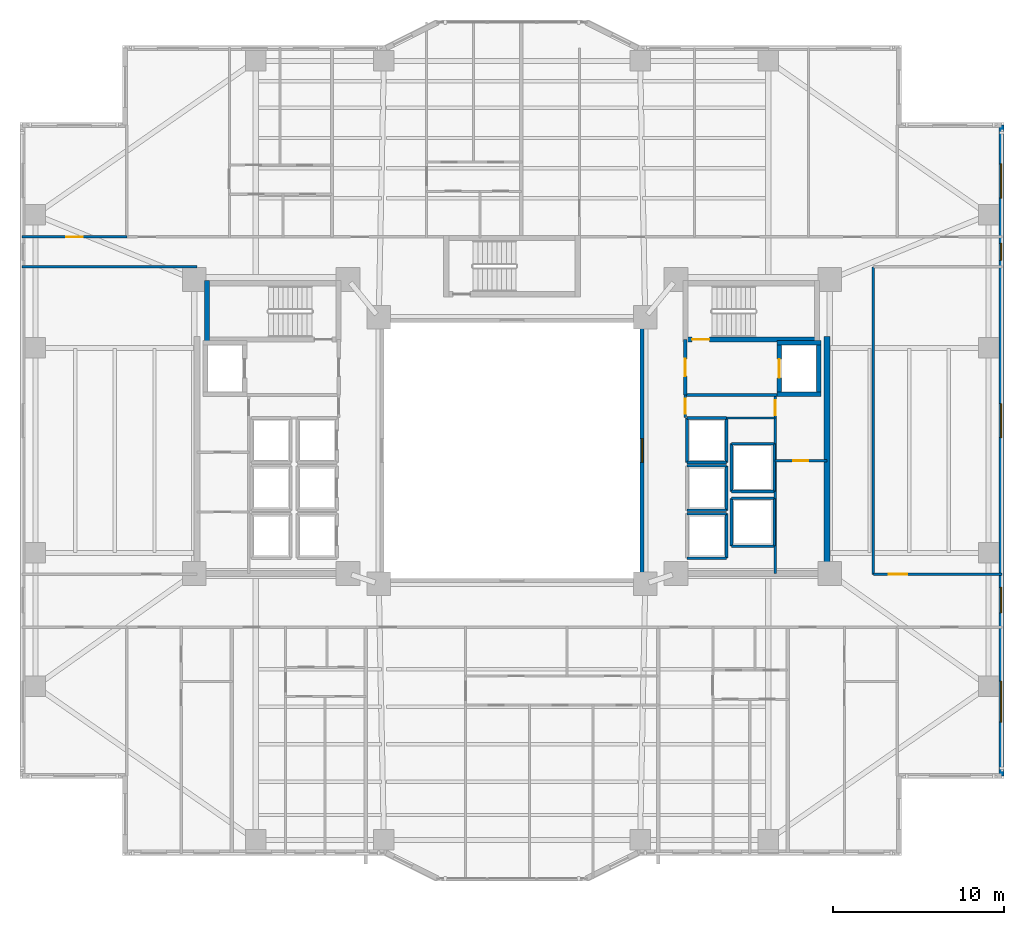
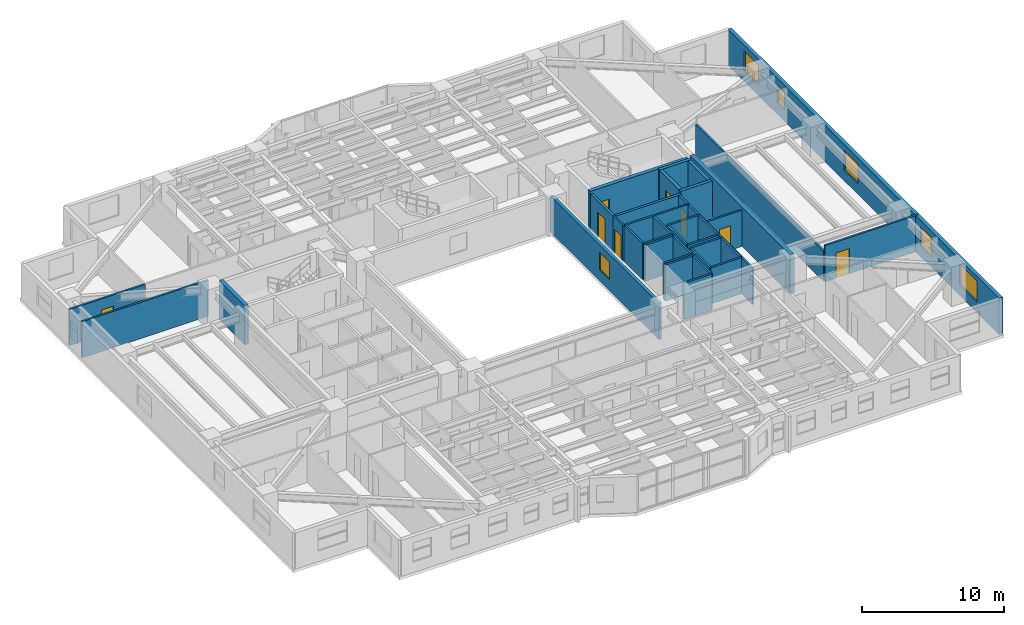
# One storey, part 13 of 21: 37 walls, 8 doors, 6 windows, 14 openings.
"""IFC4 building model written with IfcOpenShell, lengths in metres."""

import ifcopenshell
import ifcopenshell.guid

model = None  # the IFC model being written
_history = None  # IfcOwnerHistory: only IFC2X3 demands one
_inside = {}  # id of a spatial element -> (the spatial element, [elements in it])
_under = {}  # id of a project, library or spatial element -> (it, [spatial elements below it])
_declared = {}  # id of a project -> (the project, [libraries it declares])
_typed = {}  # id of a type object -> (the type object, [elements of that type])
_made_of = {}  # id of a material, layer set ... -> (it, [elements and type objects made of it])


def new_model(schema):
    """Start an empty IFC model of exactly this schema.

    Asked for "IFC4X3", IfcOpenShell would pick the latest addendum, in which some entities
    have other attributes; the version numbers below select the first issue.
    IFC2X3 requires an IfcOwnerHistory on every rooted entity: one is made here for all.
    """
    global model, _history
    if schema == "IFC4X3":
        model = ifcopenshell.file(schema_version=(4, 3, 0, 0))
    else:
        model = ifcopenshell.file(schema=schema)
    _inside.clear()
    _under.clear()
    _declared.clear()
    _typed.clear()
    _made_of.clear()
    _history = None
    if model.schema == "IFC2X3":
        org = make("IfcOrganization", Name="unknown")
        user = make(
            "IfcPersonAndOrganization",
            ThePerson=make("IfcPerson", FamilyName="unknown"),
            TheOrganization=org,
        )
        app = make(
            "IfcApplication",
            ApplicationDeveloper=org,
            Version="unknown",
            ApplicationFullName="unknown",
            ApplicationIdentifier="unknown",
        )
        _history = make(
            "IfcOwnerHistory",
            OwningUser=user,
            OwningApplication=app,
            ChangeAction="ADDED",
            CreationDate=0,
        )
    return model


def make(cls, **values):
    """One entity of the class cls with the attributes given. An attribute that is None is left unset."""
    return model.create_entity(
        cls, **{name: value for name, value in values.items() if value is not None}
    )


def rooted(cls, **values):
    """An entity with a GlobalId (a new one), such as an element, a storey or a relation."""
    return make(cls, GlobalId=ifcopenshell.guid.new(), OwnerHistory=_history, **values)


def si_unit(unit_type, name, prefix=None):
    """IfcSIUnit, for example si_unit("LENGTHUNIT", "METRE", prefix="MILLI")."""
    return make("IfcSIUnit", UnitType=unit_type, Prefix=prefix, Name=name)


def assignment(units):
    """IfcUnitAssignment: the units of a project."""
    return None if units is None else make("IfcUnitAssignment", Units=units)


def point(xyz):
    """IfcCartesianPoint."""
    return None if xyz is None else make("IfcCartesianPoint", Coordinates=xyz)


def direction(xyz):
    """IfcDirection."""
    return None if xyz is None else make("IfcDirection", DirectionRatios=xyz)


def frame(location, z_axis=None, x_axis=None):
    """IfcAxis2Placement3D, a coordinate frame: its origin and axes. An axis left out is left unset."""
    return make(
        "IfcAxis2Placement3D",
        Location=point(location),
        Axis=direction(z_axis),
        RefDirection=direction(x_axis),
    )


def frame_2d(location, x_axis=None):
    """IfcAxis2Placement2D, a coordinate frame in the plane: its origin and x axis."""
    return make(
        "IfcAxis2Placement2D", Location=point(location), RefDirection=direction(x_axis)
    )


def origin():
    """The frame at (0, 0, 0) with its axes left unset."""
    return frame((0.0, 0.0, 0.0))


def place(relative_to, where):
    """IfcLocalPlacement: puts the frame where relative to a parent placement (None: the world)."""
    return make(
        "IfcLocalPlacement", PlacementRelTo=relative_to, RelativePlacement=where
    )


def context(
    kind, dimensions, precision=None, world=None, true_north=None, identifier=None
):
    """IfcGeometricRepresentationContext, for example the 3D "Model" context."""
    return make(
        "IfcGeometricRepresentationContext",
        ContextIdentifier=identifier,
        ContextType=kind,
        CoordinateSpaceDimension=dimensions,
        Precision=precision,
        WorldCoordinateSystem=world,
        TrueNorth=true_north,
    )


def subcontext(parent, identifier, kind, view, scale=None):
    """IfcGeometricRepresentationSubContext, for example "Body" below "Model"."""
    return make(
        "IfcGeometricRepresentationSubContext",
        ContextIdentifier=identifier,
        ContextType=kind,
        ParentContext=parent,
        TargetScale=scale,
        TargetView=view,
    )


def project(units=None, contexts=None):
    """IfcProject with its units and contexts."""
    return rooted(
        "IfcProject",
        Name="project",
        RepresentationContexts=contexts,
        UnitsInContext=assignment(units),
    )


def spatial(cls, under=None, at=None, **own):
    """A site, building, storey or space (cls), placed at a placement, below another one or the project."""
    s = rooted(cls, ObjectPlacement=at, **own)
    if under is not None:
        _under.setdefault(under.id(), (under, []))[1].append(s)
    return s


def profile(cls, at=None, kind="AREA", **sizes):
    """A parametric profile (cls). Its sizes go by their IFC names, for example OverallWidth=200.0."""
    return make(cls, ProfileType=kind, Position=at, **sizes)


def rectangle(**sizes):
    """IfcRectangleProfileDef."""
    return profile("IfcRectangleProfileDef", **sizes)


def extrude(swept, where, along, depth):
    """IfcExtrudedAreaSolid: the profile swept, set in the frame where, extruded along a direction by depth."""
    return make(
        "IfcExtrudedAreaSolid",
        SweptArea=swept,
        Position=where,
        ExtrudedDirection=direction(along),
        Depth=depth,
    )


def shape(context_of_items, identifier, shape_type, items):
    """IfcShapeRepresentation: the items that make up one representation, for example the "Body"."""
    return make(
        "IfcShapeRepresentation",
        ContextOfItems=context_of_items,
        RepresentationIdentifier=identifier,
        RepresentationType=shape_type,
        Items=items,
    )


def material(Name=None, Category=None):
    """IfcMaterial."""
    return make("IfcMaterial", Name=Name, Category=Category)


def layer(
    of_material, thickness, ventilated=None, Name=None, Category=None, Priority=None
):
    """IfcMaterialLayer: one layer of a wall or slab, of a material (None: an air gap)."""
    return make(
        "IfcMaterialLayer",
        Material=of_material,
        LayerThickness=thickness,
        IsVentilated=ventilated,
        Name=Name,
        Category=Category,
        Priority=Priority,
    )


def layer_set(layers, Name=None):
    """IfcMaterialLayerSet."""
    return make("IfcMaterialLayerSet", MaterialLayers=layers, LayerSetName=Name)


def made_of(thing, what):
    """Note that an element or type object is made of a material, layer set ...; save() writes the relation."""
    if what is not None:
        _made_of.setdefault(what.id(), (what, []))[1].append(thing)
    return thing


def type_object(cls, material=None, **own):
    """A type object (cls), such as IfcWallType, which elements share."""
    return made_of(rooted(cls, **own), material)


def element(
    cls,
    number,
    at=None,
    inside=None,
    cuts=None,
    type_object=None,
    material=None,
    context=None,
    identifier="Body",
    shape_type=None,
    held_by="IfcProductDefinitionShape",
    body=None,
    shapes=None,
    **own,
):
    """One element of the class cls, such as IfcWall. Its Tag is "e" and its number.

    at: its placement. inside: the storey or other place that contains it. cuts: it is an
    opening in that element (IfcRelVoidsElement). A single representation is given by context,
    identifier, shape_type and body (its items); several are given by shapes. held_by: the class
    of the entity that holds the representations. save() writes the other relations.
    """
    e = rooted(cls, Tag="e%d" % number, ObjectPlacement=at, **own)
    if body is not None:
        shapes = [shape(context, identifier, shape_type, body)]
    if shapes is not None:
        e.Representation = make(held_by, Representations=shapes)
    if inside is not None:
        _inside.setdefault(inside.id(), (inside, []))[1].append(e)
    if cuts is not None:
        rooted(
            "IfcRelVoidsElement", RelatingBuildingElement=cuts, RelatedOpeningElement=e
        )
    if type_object is not None:
        _typed.setdefault(type_object.id(), (type_object, []))[1].append(e)
    return made_of(e, material)


def fill(opening, filler):
    """IfcRelFillsElement: the door or window that sits in an opening."""
    return rooted(
        "IfcRelFillsElement",
        RelatingOpeningElement=opening,
        RelatedBuildingElement=filler,
    )


def aggregate(whole, parts):
    """IfcRelAggregates: a whole, such as a stair, and the parts it consists of."""
    return rooted("IfcRelAggregates", RelatingObject=whole, RelatedObjects=parts)


def save(model, path):
    """Write the relations noted so far, then the file.

    IfcRelAggregates (storeys below a building ...), IfcRelContainedInSpatialStructure (elements
    in a storey), IfcRelDefinesByType, IfcRelAssociatesMaterial and IfcRelDeclares: one each for
    every whole, place, type object, material and project.
    """
    for whole, parts in _under.values():
        aggregate(whole, parts)
    for where, things in _inside.values():
        rooted(
            "IfcRelContainedInSpatialStructure",
            RelatedElements=things,
            RelatingStructure=where,
        )
    for kind, things in _typed.values():
        rooted("IfcRelDefinesByType", RelatedObjects=things, RelatingType=kind)
    for what, things in _made_of.values():
        rooted("IfcRelAssociatesMaterial", RelatedObjects=things, RelatingMaterial=what)
    for by, libraries in _declared.values():
        rooted("IfcRelDeclares", RelatingContext=by, RelatedDefinitions=libraries)
    model.write(path)


model = new_model("IFC4")

# Units and contexts
model_context = context("Model", 3, precision=1e-05, world=origin(), true_north=direction((0.0, 1.0)))
body_context = subcontext(model_context, "Body", "Model", "MODEL_VIEW")
ifc_project = project(units=[si_unit("LENGTHUNIT", "METRE"), si_unit("AREAUNIT", "SQUARE_METRE"), si_unit("VOLUMEUNIT", "CUBIC_METRE"), si_unit("PLANEANGLEUNIT", "RADIAN"), si_unit("MASSUNIT", "GRAM", prefix="KILO")], contexts=[model_context])

# Site, building, storey
site_placement = place(None, origin())
site = spatial("IfcSite", under=ifc_project, at=site_placement, CompositionType="ELEMENT")
building_placement = place(site_placement, origin())
building = spatial("IfcBuilding", under=site, at=building_placement, Name="Tarnavaz Court Tower", CompositionType="ELEMENT")
storey_placement = place(building_placement, frame((0.0, 0.0, 40.75)))
storey = spatial("IfcBuildingStorey", under=building, at=storey_placement, Name="L10", CompositionType="ELEMENT", Elevation=40.75)

# Wall, opening, door
ifc_material_1 = material(Name="Concrete C60/75", Category="concrete")
ifc_layer_1 = layer(ifc_material_1, 0.25)
ifc_layer_set_1 = layer_set([ifc_layer_1], Name="Concrete C60/75")
wall_type_1 = type_object("IfcWallType", Name="WL-CORE-250-C60", PredefinedType="SHEAR", material=ifc_layer_set_1)
wall_1_placement = place(storey_placement, frame((15.64990234375, 3.175048828125, 0.0), z_axis=(0.0, 0.0, 1.0), x_axis=(0.0, 1.0, 0.0)))
wall_1 = element("IfcWall", 1, at=wall_1_placement, inside=storey, type_object=wall_type_1, Name="L10 Lift FL-E1 Shaft Wall 045", PredefinedType="SHEAR", context=body_context, shape_type="SweptSolid", body=[
    extrude(rectangle(XDim=3.25, YDim=0.25, at=frame_2d((1.625, 0.0))), origin(), (0.0, 0.0, 1.0), 3.35009765625),
])
opening_1_placement = place(wall_1_placement, frame((1.074951171875, 0.0, 0.0)))
opening_1 = element("IfcOpeningElement", 2, at=opening_1_placement, cuts=wall_1, Name="Opening LD1", PredefinedType="OPENING", context=body_context, shape_type="SweptSolid", body=[
    extrude(rectangle(XDim=1.10009765625, YDim=2.14990234375, at=frame_2d((0.550048828125, 1.074951171875))), frame((0.0, 0.135009765625, 0.0), z_axis=(0.0, -1.0, 0.0), x_axis=(1.0, 0.0, 0.0)), (0.0, 0.0, 1.0), 0.27001953125),
])
ifc_material_2 = material(Name="Stainless Steel", Category="steel")
door_type_1 = type_object("IfcDoorType", Name="DR-LD-1100", OperationType="NOTDEFINED", PredefinedType="DOOR", material=ifc_material_2)
door_1_placement = place(opening_1_placement, origin())
door_1 = element("IfcDoor", 3, at=door_1_placement, inside=storey, type_object=door_type_1, Name="L10 Lift Landing Door LD-FL-E1", OperationType="SLIDING_TO_LEFT", OverallHeight=2.14990234375, OverallWidth=1.10009765625, PredefinedType="DOOR", context=body_context, shape_type="SweptSolid", body=[
    extrude(rectangle(XDim=1.10009765625, YDim=2.14990234375, at=frame_2d((0.550048828125, 1.074951171875))), frame((0.0, 0.02490234375, 0.0), z_axis=(0.0, -1.0, 0.0), x_axis=(1.0, 0.0, 0.0)), (0.0, 0.0, 1.0), 0.050048828125),
])
fill(opening_1, door_1)

# Walls
wall_2_placement = place(storey_placement, frame((17.949951171875, 3.175048828125, 0.0), z_axis=(0.0, 0.0, 1.0), x_axis=(0.0, 1.0, 0.0)))
element("IfcWall", 4, at=wall_2_placement, inside=storey, type_object=wall_type_1, Name="L10 Lift FL-E1 Shaft Wall 046", PredefinedType="SHEAR", context=body_context, shape_type="SweptSolid", body=[
    extrude(rectangle(XDim=3.25, YDim=0.25, at=frame_2d((1.625, 0.0))), origin(), (0.0, 0.0, 1.0), 3.35009765625),
])
for number, where, z_axis, x_axis, name in (
    (5, (15.52490234375, 3.300048828125, 0.0), (0.0, 0.0, 1.0), (1.0, 0.0, 0.0), "L10 Lift FL-E1 Shaft Wall 047"),
    (6, (15.52490234375, 6.300048828125, 0.0), (0.0, 0.0, 1.0), (1.0, 0.0, 0.0), "L10 Lift FL-E1 Shaft Wall 048"),
):
    element("IfcWall", number, at=place(storey_placement, frame(where, z_axis=z_axis, x_axis=x_axis)), inside=storey, type_object=wall_type_1, Name=name, PredefinedType="SHEAR", context=body_context, shape_type="SweptSolid", body=[
        extrude(rectangle(XDim=2.550048828125, YDim=0.25, at=frame_2d((1.27490234375, 0.0))), origin(), (0.0, 0.0, 1.0), 3.35009765625),
    ])
ifc_layer_2 = layer(ifc_material_1, 0.300048828125)
ifc_layer_set_2 = layer_set([ifc_layer_2], Name="Concrete C60/75")
wall_type_2 = type_object("IfcWallType", Name="WL-CORE-300-C60", PredefinedType="SHEAR", material=ifc_layer_set_2)
wall_3_placement = place(storey_placement, frame((-17.85009765625, 6.35009765625, 0.0), z_axis=(0.0, 0.0, 1.0), x_axis=(0.0, 1.0, 0.0)))
element("IfcWall", 7, at=wall_3_placement, inside=storey, type_object=wall_type_2, Name="L10 West Stair Core Wall 003", PredefinedType="SHEAR", context=body_context, shape_type="SweptSolid", body=[
    extrude(rectangle(XDim=3.58984375, YDim=0.300048828125, at=frame_2d((1.794921875, 0.0))), origin(), (0.0, 0.0, 1.0), 3.35009765625),
])

# Wall, opening, door
wall_4_placement = place(storey_placement, frame((10.0, 6.5, 0.0), z_axis=(0.0, 0.0, 1.0), x_axis=(1.0, 0.0, 0.0)))
wall_4 = element("IfcWall", 8, at=wall_4_placement, inside=storey, type_object=wall_type_2, Name="L10 East Stair Core Wall 006", PredefinedType="SHEAR", context=body_context, shape_type="SweptSolid", body=[
    extrude(rectangle(XDim=8.0, YDim=0.300048828125, at=frame_2d((4.0, 0.0))), origin(), (0.0, 0.0, 1.0), 3.35009765625),
])
opening_2_placement = place(wall_4_placement, frame((0.550048828125, 0.0, 0.0)))
opening_2 = element("IfcOpeningElement", 9, at=opening_2_placement, cuts=wall_4, Name="Opening D01", PredefinedType="OPENING", context=body_context, shape_type="SweptSolid", body=[
    extrude(rectangle(XDim=1.0, YDim=2.14990234375, at=frame_2d((0.5, 1.074951171875))), frame((0.0, 0.159912109375, 0.0), z_axis=(0.0, -1.0, 0.0), x_axis=(1.0, 0.0, 0.0)), (0.0, 0.0, 1.0), 0.320068359375),
])
ifc_material_3 = material(Name="Fire-Rated Hardwood Timber Core", Category="wood")
door_type_2 = type_object("IfcDoorType", Name="DR-FD90-1000", OperationType="NOTDEFINED", PredefinedType="DOOR", material=ifc_material_3)
door_2_placement = place(opening_2_placement, origin())
door_2 = element("IfcDoor", 10, at=door_2_placement, inside=storey, type_object=door_type_2, Name="L10 Stair ST-E1 Exit Door", OperationType="SINGLE_SWING_RIGHT", OverallHeight=2.14990234375, OverallWidth=1.0, PredefinedType="DOOR", context=body_context, shape_type="SweptSolid", body=[
    extrude(rectangle(XDim=1.0, YDim=2.14990234375, at=frame_2d((0.5, 1.074951171875))), frame((0.0, 0.02490234375, 0.0), z_axis=(0.0, -1.0, 0.0), x_axis=(1.0, 0.0, 0.0)), (0.0, 0.0, 1.0), 0.050048828125),
])
fill(opening_2, door_2)

# Wall
ifc_layer_3 = layer(ifc_material_1, 0.35009765625)
ifc_layer_set_3 = layer_set([ifc_layer_3], Name="Concrete C60/75")
wall_type_3 = type_object("IfcWallType", Name="WL-CORE-350-C60", PredefinedType="SHEAR", material=ifc_layer_set_3)
wall_5_placement = place(storey_placement, frame((18.449951171875, -7.375, 0.0), z_axis=(0.0, 0.0, 1.0), x_axis=(0.0, 1.0, 0.0)))
element("IfcWall", 11, at=wall_5_placement, inside=storey, type_object=wall_type_3, Name="L10 East Core Shear Wall 071", PredefinedType="SHEAR", context=body_context, shape_type="SweptSolid", body=[
    extrude(rectangle(XDim=14.050048828125, YDim=0.35009765625, at=frame_2d((7.02490234375, 0.0))), origin(), (0.0, 0.0, 1.0), 3.35009765625),
])

# Wall, openings, windows
ifc_material_4 = material(Name="Precast Concrete C40/50", Category="concrete")
ifc_layer_4 = layer(ifc_material_4, 0.300048828125)
ifc_layer_set_4 = layer_set([ifc_layer_4], Name="Precast Concrete C40/50")
wall_type_4 = type_object("IfcWallType", Name="WL-EXT-300", PredefinedType="SOLIDWALL", material=ifc_layer_set_4)
wall_6_placement = place(storey_placement, frame((28.64990234375, 19.050048828125, 0.0), z_axis=(0.0, 0.0, 1.0), x_axis=(0.0, -1.0, 0.0)))
wall_6 = element("IfcWall", 12, at=wall_6_placement, inside=storey, type_object=wall_type_4, Name="L10 Exterior Terracotta Facade Wall 12", PredefinedType="SOLIDWALL", context=body_context, shape_type="SweptSolid", body=[
    extrude(rectangle(XDim=38.10009765625, YDim=0.300048828125, at=frame_2d((19.050048828125, 0.0))), origin(), (0.0, 0.0, 1.0), 3.10009765625),
])
opening_3_placement = place(wall_6_placement, frame((2.27490234375, 0.0, 0.89990234375)))
opening_3 = element("IfcOpeningElement", 13, at=opening_3_placement, cuts=wall_6, Name="Opening W08", PredefinedType="OPENING", context=body_context, shape_type="SweptSolid", body=[
    extrude(rectangle(XDim=2.0, YDim=1.699951171875, at=frame_2d((1.0, 0.85009765625))), frame((0.0, 0.159912109375, 0.0), z_axis=(0.0, -1.0, 0.0), x_axis=(1.0, 0.0, 0.0)), (0.0, 0.0, 1.0), 0.320068359375),
])
opening_4_placement = place(wall_6_placement, frame((6.925048828125, 0.0, 0.949951171875)))
opening_4 = element("IfcOpeningElement", 14, at=opening_4_placement, cuts=wall_6, Name="Opening W14", PredefinedType="OPENING", context=body_context, shape_type="SweptSolid", body=[
    extrude(rectangle(XDim=1.0, YDim=1.5, at=frame_2d((0.5, 0.75))), frame((0.0, 0.159912109375, 0.0), z_axis=(0.0, -1.0, 0.0), x_axis=(1.0, 0.0, 0.0)), (0.0, 0.0, 1.0), 0.320068359375),
])
opening_5_placement = place(wall_6_placement, frame((16.300048828125, 0.0, 0.89990234375)))
opening_5 = element("IfcOpeningElement", 15, at=opening_5_placement, cuts=wall_6, Name="Opening W08", PredefinedType="OPENING", context=body_context, shape_type="SweptSolid", body=[
    extrude(rectangle(XDim=2.0, YDim=1.699951171875, at=frame_2d((1.0, 0.85009765625))), frame((0.0, 0.159912109375, 0.0), z_axis=(0.0, -1.0, 0.0), x_axis=(1.0, 0.0, 0.0)), (0.0, 0.0, 1.0), 0.320068359375),
])
opening_6_placement = place(wall_6_placement, frame((27.0576171875, 0.0, 0.89990234375)))
opening_6 = element("IfcOpeningElement", 16, at=opening_6_placement, cuts=wall_6, Name="Opening W03", PredefinedType="OPENING", context=body_context, shape_type="SweptSolid", body=[
    extrude(rectangle(XDim=1.5, YDim=1.64990234375, at=frame_2d((0.75, 0.824951171875))), frame((0.0, 0.159912109375, 0.0), z_axis=(0.0, -1.0, 0.0), x_axis=(1.0, 0.0, 0.0)), (0.0, 0.0, 1.0), 0.320068359375),
])
opening_7_placement = place(wall_6_placement, frame((32.550048828125, 0.0, 0.89990234375)))
opening_7 = element("IfcOpeningElement", 17, at=opening_7_placement, cuts=wall_6, Name="Opening W06", PredefinedType="OPENING", context=body_context, shape_type="SweptSolid", body=[
    extrude(rectangle(XDim=2.39990234375, YDim=1.800048828125, at=frame_2d((1.199951171875, 0.89990234375))), frame((0.0, 0.159912109375, 0.0), z_axis=(0.0, -1.0, 0.0), x_axis=(1.0, 0.0, 0.0)), (0.0, 0.0, 1.0), 0.320068359375),
])
ifc_material_5 = material(Name="Double-Glazed Solar Low-E Glass", Category="glass")
window_type_1 = type_object("IfcWindowType", Name="WN-APT-1000", PartitioningType="SINGLE_PANEL", PredefinedType="WINDOW", material=ifc_material_5)
window_1_placement = place(opening_4_placement, origin())
window_1 = element("IfcWindow", 18, at=window_1_placement, inside=storey, type_object=window_type_1, Name="L10 North-East Corner Corridor Window", OverallHeight=1.5, OverallWidth=1.0, PartitioningType="SINGLE_PANEL", PredefinedType="WINDOW", context=body_context, shape_type="SweptSolid", body=[
    extrude(rectangle(XDim=1.0, YDim=1.5, at=frame_2d((0.5, 0.75))), frame((0.0, 0.030029296875, 0.0), z_axis=(0.0, -1.0, 0.0), x_axis=(1.0, 0.0, 0.0)), (0.0, 0.0, 1.0), 0.06005859375),
])
fill(opening_4, window_1)
window_type_2 = type_object("IfcWindowType", Name="WN-APT-1500", PartitioningType="DOUBLE_PANEL_VERTICAL", PredefinedType="WINDOW", material=ifc_material_5)
window_2_placement = place(opening_6_placement, origin())
window_2 = element("IfcWindow", 19, at=window_2_placement, inside=storey, type_object=window_type_2, Name="L10 South-East Corner Corridor Window", OverallHeight=1.64990234375, OverallWidth=1.5, PartitioningType="SINGLE_PANEL", PredefinedType="WINDOW", context=body_context, shape_type="SweptSolid", body=[
    extrude(rectangle(XDim=1.5, YDim=1.64990234375, at=frame_2d((0.75, 0.824951171875))), frame((0.0, 0.030029296875, 0.0), z_axis=(0.0, -1.0, 0.0), x_axis=(1.0, 0.0, 0.0)), (0.0, 0.0, 1.0), 0.06005859375),
])
fill(opening_6, window_2)
window_type_3 = type_object("IfcWindowType", Name="WN-APT-2000", PartitioningType="DOUBLE_PANEL_VERTICAL", PredefinedType="WINDOW", material=ifc_material_5)
window_3_placement = place(opening_3_placement, origin())
window_3 = element("IfcWindow", 20, at=window_3_placement, inside=storey, type_object=window_type_3, Name="L10 North-East Corner Sunroom Study Window", OverallHeight=1.699951171875, OverallWidth=2.0, PartitioningType="SINGLE_PANEL", PredefinedType="WINDOW", context=body_context, shape_type="SweptSolid", body=[
    extrude(rectangle(XDim=2.0, YDim=1.699951171875, at=frame_2d((1.0, 0.85009765625))), frame((0.0, 0.030029296875, 0.0), z_axis=(0.0, -1.0, 0.0), x_axis=(1.0, 0.0, 0.0)), (0.0, 0.0, 1.0), 0.06005859375),
])
fill(opening_3, window_3)
window_4_placement = place(opening_5_placement, origin())
window_4 = element("IfcWindow", 21, at=window_4_placement, inside=storey, type_object=window_type_3, Name="L10 East Wing Daycare Playroom Window", OverallHeight=1.699951171875, OverallWidth=2.0, PartitioningType="SINGLE_PANEL", PredefinedType="WINDOW", context=body_context, shape_type="SweptSolid", body=[
    extrude(rectangle(XDim=2.0, YDim=1.699951171875, at=frame_2d((1.0, 0.85009765625))), frame((0.0, 0.030029296875, 0.0), z_axis=(0.0, -1.0, 0.0), x_axis=(1.0, 0.0, 0.0)), (0.0, 0.0, 1.0), 0.06005859375),
])
fill(opening_5, window_4)
window_type_4 = type_object("IfcWindowType", Name="WN-APT-2400", PartitioningType="TRIPLE_PANEL_VERTICAL", PredefinedType="WINDOW", material=ifc_material_5)
window_5_placement = place(opening_7_placement, origin())
window_5 = element("IfcWindow", 22, at=window_5_placement, inside=storey, type_object=window_type_4, Name="L10 South-East Corner Reading Room Window", OverallHeight=1.800048828125, OverallWidth=2.39990234375, PartitioningType="SINGLE_PANEL", PredefinedType="WINDOW", context=body_context, shape_type="SweptSolid", body=[
    extrude(rectangle(XDim=2.39990234375, YDim=1.800048828125, at=frame_2d((1.199951171875, 0.89990234375))), frame((0.0, 0.030029296875, 0.0), z_axis=(0.0, -1.0, 0.0), x_axis=(1.0, 0.0, 0.0)), (0.0, 0.0, 1.0), 0.06005859375),
])
fill(opening_7, window_5)

# Walls
ifc_material_6 = material(Name="Gypsum Fire-Board on Acoustic Metal Stud", Category="masonry")
ifc_layer_5 = layer(ifc_material_6, 0.14990234375)
ifc_layer_set_5 = layer_set([ifc_layer_5], Name="Gypsum Fire-Board on Acoustic Metal Stud")
wall_type_5 = type_object("IfcWallType", Name="WL-FIRE-150", PredefinedType="PARTITIONING", material=ifc_layer_set_5)
wall_7_placement = place(storey_placement, frame((21.14990234375, -7.25, 0.0), z_axis=(0.0, 0.0, 1.0), x_axis=(0.0, 1.0, 0.0)))
element("IfcWall", 23, at=wall_7_placement, inside=storey, type_object=wall_type_5, Name="L10 East Outer Link Wall 084", PredefinedType="PARTITIONING", context=body_context, shape_type="SweptSolid", body=[
    extrude(rectangle(XDim=18.0, YDim=0.14990234375, at=frame_2d((9.0, 0.0))), origin(), (0.0, 0.0, 1.0), 2.5849609375),
])
wall_8_placement = place(storey_placement, frame((-28.679931640625, 10.75, 0.0), z_axis=(0.0, 0.0, 1.0), x_axis=(1.0, 0.0, 0.0)))
element("IfcWall", 24, at=wall_8_placement, inside=storey, type_object=wall_type_5, Name="L10 Interior Partition 135", PredefinedType="PARTITIONING", context=body_context, shape_type="SweptSolid", body=[
    extrude(rectangle(XDim=10.22998046875, YDim=0.14990234375, at=frame_2d((5.114990234375, 0.0))), origin(), (0.0, 0.0, 1.0), 3.10009765625),
])

# Wall, opening, door
wall_9_placement = place(storey_placement, frame((21.14990234375, -7.25, 0.0), z_axis=(0.0, 0.0, 1.0), x_axis=(1.0, 0.0, 0.0)))
wall_9 = element("IfcWall", 25, at=wall_9_placement, inside=storey, type_object=wall_type_5, Name="L10 Interior Partition 136", PredefinedType="PARTITIONING", context=body_context, shape_type="SweptSolid", body=[
    extrude(rectangle(XDim=7.530029296875, YDim=0.14990234375, at=frame_2d((3.76513671875, 0.0))), origin(), (0.0, 0.0, 1.0), 3.10009765625),
])
opening_8_placement = place(wall_9_placement, frame((0.89990234375, 0.0, 0.0)))
opening_8 = element("IfcOpeningElement", 26, at=opening_8_placement, cuts=wall_9, Name="Opening D12", PredefinedType="OPENING", context=body_context, shape_type="SweptSolid", body=[
    extrude(rectangle(XDim=1.080078125, YDim=2.14990234375, at=frame_2d((0.5400390625, 1.074951171875))), frame((0.0, 0.0849609375, 0.0), z_axis=(0.0, -1.0, 0.0), x_axis=(1.0, 0.0, 0.0)), (0.0, 0.0, 1.0), 0.169921875),
])
ifc_material_7 = material(Name="Engineered Oak Timber", Category="wood")
door_type_3 = type_object("IfcDoorType", Name="DR-INT-1100", OperationType="NOTDEFINED", PredefinedType="DOOR", material=ifc_material_7)
door_3_placement = place(opening_8_placement, origin())
door_3 = element("IfcDoor", 27, at=door_3_placement, inside=storey, type_object=door_type_3, Name="L10 East Daycare Playroom Door", OperationType="SINGLE_SWING_RIGHT", OverallHeight=2.14990234375, OverallWidth=1.080078125, PredefinedType="DOOR", context=body_context, shape_type="SweptSolid", body=[
    extrude(rectangle(XDim=1.080078125, YDim=2.14990234375, at=frame_2d((0.5400390625, 1.074951171875))), frame((0.0, 0.02490234375, 0.0), z_axis=(0.0, -1.0, 0.0), x_axis=(1.0, 0.0, 0.0)), (0.0, 0.0, 1.0), 0.050048828125),
])
fill(opening_8, door_3)

wall_10_placement = place(storey_placement, frame((-28.679931640625, 12.5, 0.0), z_axis=(0.0, 0.0, 1.0), x_axis=(1.0, 0.0, 0.0)))
wall_10 = element("IfcWall", 28, at=wall_10_placement, inside=storey, type_object=wall_type_5, Name="L10 Interior Partition 142", PredefinedType="PARTITIONING", context=body_context, shape_type="SweptSolid", body=[
    extrude(rectangle(XDim=6.1298828125, YDim=0.14990234375, at=frame_2d((3.06494140625, 0.0))), origin(), (0.0, 0.0, 1.0), 3.10009765625),
])
opening_9_placement = place(wall_10_placement, frame((2.590087890625, 0.0, 0.0)))
opening_9 = element("IfcOpeningElement", 29, at=opening_9_placement, cuts=wall_10, Name="Opening D13", PredefinedType="OPENING", context=body_context, shape_type="SweptSolid", body=[
    extrude(rectangle(XDim=0.949951171875, YDim=2.14990234375, at=frame_2d((0.47509765625, 1.074951171875))), frame((0.0, 0.0849609375, 0.0), z_axis=(0.0, -1.0, 0.0), x_axis=(1.0, 0.0, 0.0)), (0.0, 0.0, 1.0), 0.169921875),
])
door_type_4 = type_object("IfcDoorType", Name="DR-INT-950", OperationType="NOTDEFINED", PredefinedType="DOOR", material=ifc_material_7)
door_4_placement = place(opening_9_placement, origin())
door_4 = element("IfcDoor", 30, at=door_4_placement, inside=storey, type_object=door_type_4, Name="L10 NW Sunroom Door", OperationType="SINGLE_SWING_LEFT", OverallHeight=2.14990234375, OverallWidth=0.949951171875, PredefinedType="DOOR", context=body_context, shape_type="SweptSolid", body=[
    extrude(rectangle(XDim=0.949951171875, YDim=2.14990234375, at=frame_2d((0.47509765625, 1.074951171875))), frame((0.0, 0.02490234375, 0.0), z_axis=(0.0, -1.0, 0.0), x_axis=(1.0, 0.0, 0.0)), (0.0, 0.0, 1.0), 0.050048828125),
])
fill(opening_9, door_4)

# Wall
ifc_material_8 = material(Name="Autoclaved Aerated Concrete Blockwork", Category="masonry")
ifc_layer_6 = layer(ifc_material_8, 0.199951171875)
ifc_layer_set_6 = layer_set([ifc_layer_6], Name="Autoclaved Aerated Concrete Blockwork")
wall_type_6 = type_object("IfcWallType", Name="WL-FIRE-200", PredefinedType="SOLIDWALL", material=ifc_layer_set_6)
wall_11_placement = place(storey_placement, frame((10.14990234375, 3.25, 0.0), z_axis=(0.0, 0.0, 1.0), x_axis=(1.0, 0.0, 0.0)))
element("IfcWall", 31, at=wall_11_placement, inside=storey, type_object=wall_type_6, Name="L10 East Firefighting Lobby Wall 015", PredefinedType="SOLIDWALL", context=body_context, shape_type="SweptSolid", body=[
    extrude(rectangle(XDim=5.400146484375, YDim=0.199951171875, at=frame_2d((2.7001953125, 0.0))), origin(), (0.0, 0.0, 1.0), 3.10009765625),
])

# Wall, opening, door
wall_12_placement = place(storey_placement, frame((10.14990234375, 3.25, 0.0), z_axis=(0.0, 0.0, 1.0), x_axis=(0.0, 1.0, 0.0)))
wall_12 = element("IfcWall", 32, at=wall_12_placement, inside=storey, type_object=wall_type_6, Name="L10 East Firefighting Lobby Wall 016", PredefinedType="SOLIDWALL", context=body_context, shape_type="SweptSolid", body=[
    extrude(rectangle(XDim=3.25, YDim=0.199951171875, at=frame_2d((1.625, 0.0))), origin(), (0.0, 0.0, 1.0), 3.10009765625),
])
opening_10_placement = place(wall_12_placement, frame((1.10009765625, 0.0, 0.0)))
opening_10 = element("IfcOpeningElement", 33, at=opening_10_placement, cuts=wall_12, Name="Opening D05", PredefinedType="OPENING", context=body_context, shape_type="SweptSolid", body=[
    extrude(rectangle(XDim=1.02001953125, YDim=2.14990234375, at=frame_2d((0.510009765625, 1.074951171875))), frame((0.0, 0.10986328125, 0.0), z_axis=(0.0, -1.0, 0.0), x_axis=(1.0, 0.0, 0.0)), (0.0, 0.0, 1.0), 0.219970703125),
])
door_type_5 = type_object("IfcDoorType", Name="DR-FD60-1000", OperationType="NOTDEFINED", PredefinedType="DOOR", material=ifc_material_3)
door_5_placement = place(opening_10_placement, origin())
door_5 = element("IfcDoor", 34, at=door_5_placement, inside=storey, type_object=door_type_5, Name="L10 East Firefighting Lobby Door", OperationType="SINGLE_SWING_LEFT", OverallHeight=2.14990234375, OverallWidth=1.02001953125, PredefinedType="DOOR", context=body_context, shape_type="SweptSolid", body=[
    extrude(rectangle(XDim=1.02001953125, YDim=2.14990234375, at=frame_2d((0.510009765625, 1.074951171875))), frame((0.0, 0.02490234375, 0.0), z_axis=(0.0, -1.0, 0.0), x_axis=(1.0, 0.0, 0.0)), (0.0, 0.0, 1.0), 0.050048828125),
])
fill(opening_10, door_5)

# Wall
ifc_material_9 = material(Name="Gypsum Plasterboard Acoustic Partition", Category="masonry")
ifc_layer_7 = layer(ifc_material_9, 0.139892578125)
ifc_layer_set_7 = layer_set([ifc_layer_7], Name="Gypsum Plasterboard Acoustic Partition")
wall_type_7 = type_object("IfcWallType", Name="WL-PART-150", PredefinedType="PARTITIONING", material=ifc_layer_set_7)
wall_13_placement = place(storey_placement, frame((12.550048828125, 1.89990234375, 0.0), z_axis=(0.0, 0.0, 1.0), x_axis=(1.0, 0.0, 0.0)))
element("IfcWall", 35, at=wall_13_placement, inside=storey, type_object=wall_type_7, Name="L10 Interior Partition 078", PredefinedType="PARTITIONING", context=body_context, shape_type="SweptSolid", body=[
    extrude(rectangle(XDim=2.849853515625, YDim=0.139892578125, at=frame_2d((1.4248046875, 0.0))), origin(), (0.0, 0.0, 1.0), 3.10009765625),
])

# Wall, opening, door
wall_14_placement = place(storey_placement, frame((10.14990234375, 1.919921875, 0.0), z_axis=(0.0, 0.0, 1.0), x_axis=(0.0, 1.0, 0.0)))
wall_14 = element("IfcWall", 36, at=wall_14_placement, inside=storey, type_object=wall_type_7, Name="L10 Interior Partition 079", PredefinedType="PARTITIONING", context=body_context, shape_type="SweptSolid", body=[
    extrude(rectangle(XDim=1.330078125, YDim=0.139892578125, at=frame_2d((0.6650390625, 0.0))), origin(), (0.0, 0.0, 1.0), 3.10009765625),
])
opening_11_placement = place(wall_14_placement, frame((0.219970703125, 0.0, 0.0)))
opening_11 = element("IfcOpeningElement", 37, at=opening_11_placement, cuts=wall_14, Name="Opening D09", PredefinedType="OPENING", context=body_context, shape_type="SweptSolid", body=[
    extrude(rectangle(XDim=0.89990234375, YDim=2.080078125, at=frame_2d((0.449951171875, 1.0400390625))), frame((0.0, 0.079833984375, 0.0), z_axis=(0.0, -1.0, 0.0), x_axis=(1.0, 0.0, 0.0)), (0.0, 0.0, 1.0), 0.159912109375),
])
door_type_6 = type_object("IfcDoorType", Name="DR-FD30-900", OperationType="NOTDEFINED", PredefinedType="DOOR", material=ifc_material_3)
door_6_placement = place(opening_11_placement, origin())
door_6 = element("IfcDoor", 38, at=door_6_placement, inside=storey, type_object=door_type_6, Name="L10 East Core Service Lobby Door", OperationType="SINGLE_SWING_LEFT", OverallHeight=2.080078125, OverallWidth=0.89990234375, PredefinedType="DOOR", context=body_context, shape_type="SweptSolid", body=[
    extrude(rectangle(XDim=0.89990234375, YDim=2.080078125, at=frame_2d((0.449951171875, 1.0400390625))), frame((0.0, 0.02490234375, 0.0), z_axis=(0.0, -1.0, 0.0), x_axis=(1.0, 0.0, 0.0)), (0.0, 0.0, 1.0), 0.050048828125),
])
fill(opening_11, door_6)

wall_15_placement = place(storey_placement, frame((15.39990234375, -7.199951171875, 0.0), z_axis=(0.0, 0.0, 1.0), x_axis=(0.0, 1.0, 0.0)))
wall_15 = element("IfcWall", 39, at=wall_15_placement, inside=storey, type_object=wall_type_7, Name="L10 Interior Partition 080", PredefinedType="PARTITIONING", context=body_context, shape_type="SweptSolid", body=[
    extrude(rectangle(XDim=10.449951171875, YDim=0.139892578125, at=frame_2d((5.22509765625, 0.0))), origin(), (0.0, 0.0, 1.0), 3.10009765625),
])
opening_12_placement = place(wall_15_placement, frame((9.25, 0.0, 0.0)))
opening_12 = element("IfcOpeningElement", 40, at=opening_12_placement, cuts=wall_15, Name="Opening D09", PredefinedType="OPENING", context=body_context, shape_type="SweptSolid", body=[
    extrude(rectangle(XDim=0.89990234375, YDim=2.080078125, at=frame_2d((0.449951171875, 1.0400390625))), frame((0.0, 0.079833984375, 0.0), z_axis=(0.0, -1.0, 0.0), x_axis=(1.0, 0.0, 0.0)), (0.0, 0.0, 1.0), 0.159912109375),
])
door_7_placement = place(opening_12_placement, origin())
door_7 = element("IfcDoor", 41, at=door_7_placement, inside=storey, type_object=door_type_6, Name="L10 East Wet Riser Door", OperationType="SINGLE_SWING_RIGHT", OverallHeight=2.080078125, OverallWidth=0.89990234375, PredefinedType="DOOR", context=body_context, shape_type="SweptSolid", body=[
    extrude(rectangle(XDim=0.89990234375, YDim=2.080078125, at=frame_2d((0.449951171875, 1.0400390625))), frame((0.0, 0.02490234375, 0.0), z_axis=(0.0, -1.0, 0.0), x_axis=(1.0, 0.0, 0.0)), (0.0, 0.0, 1.0), 0.050048828125),
])
fill(opening_12, door_7)

wall_16_placement = place(storey_placement, frame((15.39990234375, -0.590087890625, 0.0), z_axis=(0.0, 0.0, 1.0), x_axis=(1.0, 0.0, 0.0)))
wall_16 = element("IfcWall", 42, at=wall_16_placement, inside=storey, type_object=wall_type_7, Name="L10 Interior Partition 081", PredefinedType="PARTITIONING", context=body_context, shape_type="SweptSolid", body=[
    extrude(rectangle(XDim=3.050048828125, YDim=0.139892578125, at=frame_2d((1.52490234375, 0.0))), origin(), (0.0, 0.0, 1.0), 3.10009765625),
])
opening_13_placement = place(wall_16_placement, frame((1.050048828125, 0.0, 0.0)))
opening_13 = element("IfcOpeningElement", 43, at=opening_13_placement, cuts=wall_16, Name="Opening D09", PredefinedType="OPENING", context=body_context, shape_type="SweptSolid", body=[
    extrude(rectangle(XDim=0.89990234375, YDim=2.080078125, at=frame_2d((0.449951171875, 1.0400390625))), frame((0.0, 0.079833984375, 0.0), z_axis=(0.0, -1.0, 0.0), x_axis=(1.0, 0.0, 0.0)), (0.0, 0.0, 1.0), 0.159912109375),
])
door_8_placement = place(opening_13_placement, origin())
door_8 = element("IfcDoor", 44, at=door_8_placement, inside=storey, type_object=door_type_6, Name="L10 East Electrical Plant Door", OperationType="SINGLE_SWING_LEFT", OverallHeight=2.080078125, OverallWidth=0.89990234375, PredefinedType="DOOR", context=body_context, shape_type="SweptSolid", body=[
    extrude(rectangle(XDim=0.89990234375, YDim=2.080078125, at=frame_2d((0.449951171875, 1.0400390625))), frame((0.0, 0.02490234375, 0.0), z_axis=(0.0, -1.0, 0.0), x_axis=(1.0, 0.0, 0.0)), (0.0, 0.0, 1.0), 0.050048828125),
])
fill(opening_13, door_8)

# Walls
ifc_layer_8 = layer(ifc_material_8, 0.159912109375)
ifc_layer_set_8 = layer_set([ifc_layer_8], Name="Autoclaved Aerated Concrete Blockwork")
wall_type_8 = type_object("IfcWallType", Name="WL-SHAFT-150", PredefinedType="SOLIDWALL", material=ifc_layer_set_8)
wall_17_placement = place(storey_placement, frame((12.550048828125, -6.300048828125, 0.0), z_axis=(0.0, 0.0, 1.0), x_axis=(0.0, 1.0, 0.0)))
element("IfcWall", 45, at=wall_17_placement, inside=storey, type_object=wall_type_8, Name="L10 Lift PL-M1 Shaft Wall 050", PredefinedType="SOLIDWALL", context=body_context, shape_type="SweptSolid", body=[
    extrude(rectangle(XDim=2.60009765625, YDim=0.159912109375, at=frame_2d((1.300048828125, 0.0))), origin(), (0.0, 0.0, 1.0), 3.10009765625),
])
for number, where, z_axis, x_axis, name in (
    (46, (10.25, -6.300048828125, 0.0), (0.0, 0.0, 1.0), (1.0, 0.0, 0.0), "L10 Lift PL-M1 Shaft Wall 051"),
    (47, (10.25, -3.699951171875, 0.0), (0.0, 0.0, 1.0), (1.0, 0.0, 0.0), "L10 Lift PL-M1 Shaft Wall 052"),
):
    element("IfcWall", number, at=place(storey_placement, frame(where, z_axis=z_axis, x_axis=x_axis)), inside=storey, type_object=wall_type_8, Name=name, PredefinedType="SOLIDWALL", context=body_context, shape_type="SweptSolid", body=[
        extrude(rectangle(XDim=2.300048828125, YDim=0.159912109375, at=frame_2d((1.14990234375, 0.0))), origin(), (0.0, 0.0, 1.0), 3.10009765625),
    ])
wall_18_placement = place(storey_placement, frame((12.550048828125, -3.5, 0.0), z_axis=(0.0, 0.0, 1.0), x_axis=(0.0, 1.0, 0.0)))
element("IfcWall", 48, at=wall_18_placement, inside=storey, type_object=wall_type_8, Name="L10 Lift PL-M2 Shaft Wall 054", PredefinedType="SOLIDWALL", context=body_context, shape_type="SweptSolid", body=[
    extrude(rectangle(XDim=2.60009765625, YDim=0.159912109375, at=frame_2d((1.300048828125, 0.0))), origin(), (0.0, 0.0, 1.0), 3.10009765625),
])
for number, where, z_axis, x_axis, name in (
    (49, (10.25, -3.5, 0.0), (0.0, 0.0, 1.0), (1.0, 0.0, 0.0), "L10 Lift PL-M2 Shaft Wall 055"),
    (50, (10.25, -0.89990234375, 0.0), (0.0, 0.0, 1.0), (1.0, 0.0, 0.0), "L10 Lift PL-M2 Shaft Wall 056"),
):
    element("IfcWall", number, at=place(storey_placement, frame(where, z_axis=z_axis, x_axis=x_axis)), inside=storey, type_object=wall_type_8, Name=name, PredefinedType="SOLIDWALL", context=body_context, shape_type="SweptSolid", body=[
        extrude(rectangle(XDim=2.300048828125, YDim=0.159912109375, at=frame_2d((1.14990234375, 0.0))), origin(), (0.0, 0.0, 1.0), 3.10009765625),
    ])
for number, where, z_axis, x_axis, name in (
    (51, (10.25, -0.699951171875, 0.0), (0.0, 0.0, 1.0), (0.0, 1.0, 0.0), "L10 Lift PL-M3 Shaft Wall 057"),
    (52, (12.550048828125, -0.699951171875, 0.0), (0.0, 0.0, 1.0), (0.0, 1.0, 0.0), "L10 Lift PL-M3 Shaft Wall 058"),
):
    element("IfcWall", number, at=place(storey_placement, frame(where, z_axis=z_axis, x_axis=x_axis)), inside=storey, type_object=wall_type_8, Name=name, PredefinedType="SOLIDWALL", context=body_context, shape_type="SweptSolid", body=[
        extrude(rectangle(XDim=2.599853515625, YDim=0.159912109375, at=frame_2d((1.2998046875, 0.0))), origin(), (0.0, 0.0, 1.0), 3.10009765625),
    ])
for number, where, z_axis, x_axis, name in (
    (53, (10.25, -0.699951171875, 0.0), (0.0, 0.0, 1.0), (1.0, 0.0, 0.0), "L10 Lift PL-M3 Shaft Wall 059"),
    (54, (10.25, 1.89990234375, 0.0), (0.0, 0.0, 1.0), (1.0, 0.0, 0.0), "L10 Lift PL-M3 Shaft Wall 060"),
):
    element("IfcWall", number, at=place(storey_placement, frame(where, z_axis=z_axis, x_axis=x_axis)), inside=storey, type_object=wall_type_8, Name=name, PredefinedType="SOLIDWALL", context=body_context, shape_type="SweptSolid", body=[
        extrude(rectangle(XDim=2.300048828125, YDim=0.159912109375, at=frame_2d((1.14990234375, 0.0))), origin(), (0.0, 0.0, 1.0), 3.10009765625),
    ])
for number, where, z_axis, x_axis, name in (
    (55, (12.85009765625, -5.60009765625, 0.0), (0.0, 0.0, 1.0), (0.0, 1.0, 0.0), "L10 Lift PL-OB1 Shaft Wall 061"),
    (56, (15.35009765625, -5.60009765625, 0.0), (0.0, 0.0, 1.0), (0.0, 1.0, 0.0), "L10 Lift PL-OB1 Shaft Wall 062"),
):
    element("IfcWall", number, at=place(storey_placement, frame(where, z_axis=z_axis, x_axis=x_axis)), inside=storey, type_object=wall_type_8, Name=name, PredefinedType="SOLIDWALL", context=body_context, shape_type="SweptSolid", body=[
        extrude(rectangle(XDim=2.800048828125, YDim=0.159912109375, at=frame_2d((1.39990234375, 0.0))), origin(), (0.0, 0.0, 1.0), 3.10009765625),
    ])
for number, where, z_axis, x_axis, name in (
    (57, (12.85009765625, -5.60009765625, 0.0), (0.0, 0.0, 1.0), (1.0, 0.0, 0.0), "L10 Lift PL-OB1 Shaft Wall 063"),
    (58, (12.85009765625, -2.800048828125, 0.0), (0.0, 0.0, 1.0), (1.0, 0.0, 0.0), "L10 Lift PL-OB1 Shaft Wall 064"),
):
    element("IfcWall", number, at=place(storey_placement, frame(where, z_axis=z_axis, x_axis=x_axis)), inside=storey, type_object=wall_type_8, Name=name, PredefinedType="SOLIDWALL", context=body_context, shape_type="SweptSolid", body=[
        extrude(rectangle(XDim=2.5, YDim=0.159912109375, at=frame_2d((1.25, 0.0))), origin(), (0.0, 0.0, 1.0), 3.10009765625),
    ])
for number, where, z_axis, x_axis, name in (
    (59, (12.85009765625, -2.39990234375, 0.0), (0.0, 0.0, 1.0), (0.0, 1.0, 0.0), "L10 Lift PL-OB2 Shaft Wall 065"),
    (60, (15.35009765625, -2.39990234375, 0.0), (0.0, 0.0, 1.0), (0.0, 1.0, 0.0), "L10 Lift PL-OB2 Shaft Wall 066"),
):
    element("IfcWall", number, at=place(storey_placement, frame(where, z_axis=z_axis, x_axis=x_axis)), inside=storey, type_object=wall_type_8, Name=name, PredefinedType="SOLIDWALL", context=body_context, shape_type="SweptSolid", body=[
        extrude(rectangle(XDim=2.7998046875, YDim=0.159912109375, at=frame_2d((1.39990234375, 0.0))), origin(), (0.0, 0.0, 1.0), 3.10009765625),
    ])
for number, where, z_axis, x_axis, name in (
    (61, (12.85009765625, -2.39990234375, 0.0), (0.0, 0.0, 1.0), (1.0, 0.0, 0.0), "L10 Lift PL-OB2 Shaft Wall 067"),
    (62, (12.85009765625, 0.39990234375, 0.0), (0.0, 0.0, 1.0), (1.0, 0.0, 0.0), "L10 Lift PL-OB2 Shaft Wall 068"),
):
    element("IfcWall", number, at=place(storey_placement, frame(where, z_axis=z_axis, x_axis=x_axis)), inside=storey, type_object=wall_type_8, Name=name, PredefinedType="SOLIDWALL", context=body_context, shape_type="SweptSolid", body=[
        extrude(rectangle(XDim=2.5, YDim=0.159912109375, at=frame_2d((1.25, 0.0))), origin(), (0.0, 0.0, 1.0), 3.10009765625),
    ])

# Wall, opening, window
ifc_layer_9 = layer(ifc_material_4, 0.239990234375)
ifc_layer_set_9 = layer_set([ifc_layer_9], Name="Precast Concrete C40/50")
wall_type_9 = type_object("IfcWallType", Name="WL-WELL-240", PredefinedType="SOLIDWALL", material=ifc_layer_set_9)
wall_19_placement = place(storey_placement, frame((7.6201171875, -7.6201171875, 0.0), z_axis=(0.0, 0.0, 1.0), x_axis=(0.0, 1.0, 0.0)))
wall_19 = element("IfcWall", 63, at=wall_19_placement, inside=storey, type_object=wall_type_9, Name="L10 Badgir Light-Well Exterior Wall E", PredefinedType="SOLIDWALL", context=body_context, shape_type="SweptSolid", body=[
    extrude(rectangle(XDim=15.240234375, YDim=0.239990234375, at=frame_2d((7.6201171875, 0.0))), origin(), (0.0, 0.0, 1.0), 3.10009765625),
])
opening_14_placement = place(wall_19_placement, frame((6.919921875, 0.0, 0.949951171875)))
opening_14 = element("IfcOpeningElement", 64, at=opening_14_placement, cuts=wall_19, Name="Opening W13", PredefinedType="OPENING", context=body_context, shape_type="SweptSolid", body=[
    extrude(rectangle(XDim=1.39990234375, YDim=1.5, at=frame_2d((0.699951171875, 0.75))), frame((0.0, 0.1298828125, 0.0), z_axis=(0.0, -1.0, 0.0), x_axis=(1.0, 0.0, 0.0)), (0.0, 0.0, 1.0), 0.260009765625),
])
window_type_5 = type_object("IfcWindowType", Name="WN-WEL-1400", PartitioningType="SINGLE_PANEL", PredefinedType="WINDOW", material=ifc_material_5)
window_6_placement = place(opening_14_placement, origin())
window_6 = element("IfcWindow", 65, at=window_6_placement, inside=storey, type_object=window_type_5, Name="L10 Courtyard Gallery Window E", OverallHeight=1.5, OverallWidth=1.39990234375, PartitioningType="SINGLE_PANEL", PredefinedType="WINDOW", context=body_context, shape_type="SweptSolid", body=[
    extrude(rectangle(XDim=1.39990234375, YDim=1.5, at=frame_2d((0.699951171875, 0.75))), frame((0.0, 0.030029296875, 0.0), z_axis=(0.0, -1.0, 0.0), x_axis=(1.0, 0.0, 0.0)), (0.0, 0.0, 1.0), 0.06005859375),
])
fill(opening_14, window_6)

save(model, "model.ifc")
